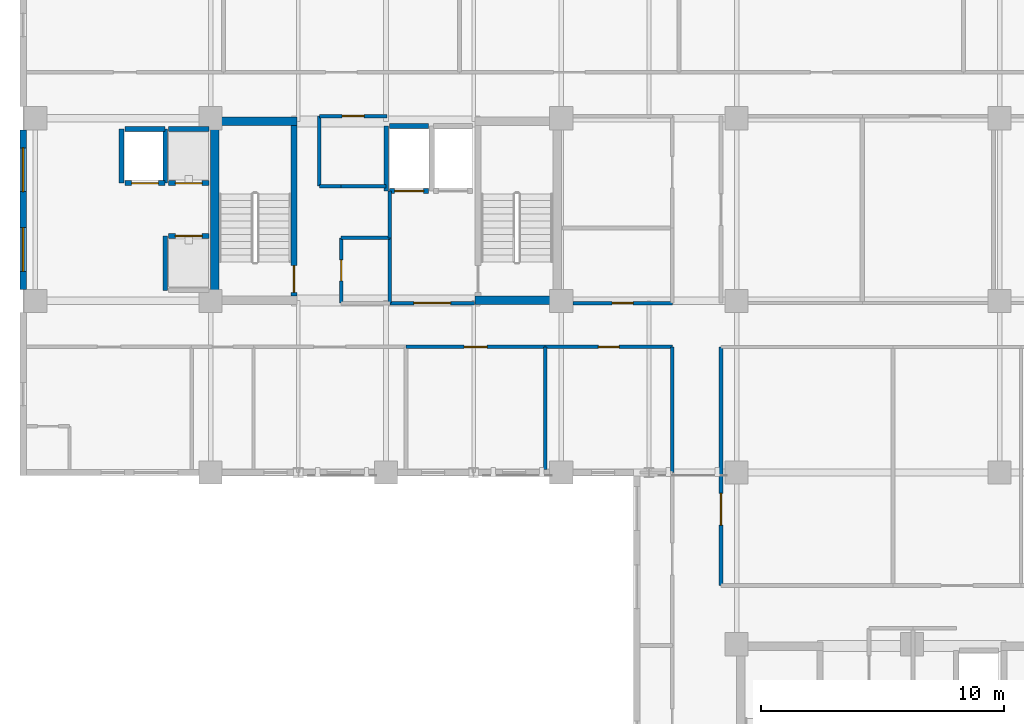
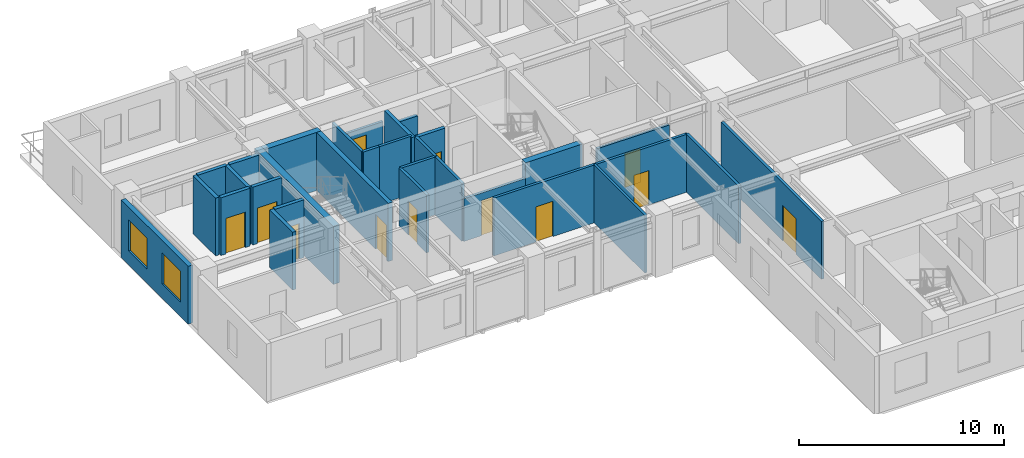
# One storey, part 6 of 14: 31 walls, 12 doors, 2 windows, 14 openings.
"""IFC4 building model written with IfcOpenShell, lengths in metres."""

from ifc_helpers import new_model, si_unit, direction, frame, frame_2d, origin, place, context, subcontext, project, spatial, rectangle, extrude, material, layer, layer_set, type_object, element, fill, save


model = new_model("IFC4")

# Units and contexts
model_context = context("Model", 3, precision=1e-05, world=origin(), true_north=direction((0.0, 1.0)))
body_context = subcontext(model_context, "Body", "Model", "MODEL_VIEW")
ifc_project = project(units=[si_unit("LENGTHUNIT", "METRE"), si_unit("AREAUNIT", "SQUARE_METRE"), si_unit("VOLUMEUNIT", "CUBIC_METRE"), si_unit("PLANEANGLEUNIT", "RADIAN"), si_unit("MASSUNIT", "GRAM", prefix="KILO")], contexts=[model_context])

# Site, building, storey
site_placement = place(None, origin())
site = spatial("IfcSite", under=ifc_project, at=site_placement, CompositionType="ELEMENT")
building_placement = place(site_placement, origin())
building = spatial("IfcBuilding", under=site, at=building_placement, Name="Kaliganga Portal Commons", CompositionType="ELEMENT")
storey_placement = place(building_placement, frame((0.0, 0.0, 220.300048828125)))
storey = spatial("IfcBuildingStorey", under=building, at=storey_placement, Name="L56", CompositionType="ELEMENT", Elevation=220.300048828125)

# Walls
ifc_material_1 = material(Name="Concrete C50/60", Category="concrete")
ifc_layer_1 = layer(ifc_material_1, 0.35009765625)
ifc_layer_set_1 = layer_set([ifc_layer_1], Name="Concrete C50/60")
wall_type_1 = type_object("IfcWallType", Name="WL-CORE-350", PredefinedType="SHEAR", material=ifc_layer_set_1)
wall_1_placement = place(storey_placement, frame((14.574951171875, 28.5, 0.0), z_axis=(0.0, 0.0, 1.0), x_axis=(0.0, 1.0, 0.0)))
element("IfcWall", 1, at=wall_1_placement, inside=storey, type_object=wall_type_1, Name="Core A West Shear Wall L56", PredefinedType="SHEAR", context=body_context, shape_type="SweptSolid", body=[
    extrude(rectangle(XDim=7.699951171875, YDim=0.35009765625, at=frame_2d((3.85009765625, 0.0))), origin(), (0.0, 0.0, 1.0), 3.469970703125),
])
for number, where, z_axis, x_axis, name in (
    (2, (25.25, 28.675048828125, 0.0), (0.0, 0.0, 1.0), (1.0, 0.0, 0.0), "Core A S-East Shear Wall L56"),
    (3, (14.75, 36.02490234375, 0.0), (0.0, 0.0, 1.0), (1.0, 0.0, 0.0), "Core A N-West Shear Wall L56"),
):
    element("IfcWall", number, at=place(storey_placement, frame(where, z_axis=z_axis, x_axis=x_axis)), inside=storey, type_object=wall_type_1, Name=name, PredefinedType="SHEAR", context=body_context, shape_type="SweptSolid", body=[
        extrude(rectangle(XDim=3.199951171875, YDim=0.35009765625, at=frame_2d((1.60009765625, 0.0))), origin(), (0.0, 0.0, 1.0), 3.469970703125),
    ])

# Wall, openings, windows
ifc_material_2 = material(Name="Insulated Aluminium-Clad Spandrel Assembly", Category="aluminium")
ifc_layer_2 = layer(ifc_material_2, 0.260009765625)
ifc_layer_set_2 = layer_set([ifc_layer_2], Name="Insulated Aluminium-Clad Spandrel Assembly")
wall_type_2 = type_object("IfcWallType", Name="WL-EXT-SPAND-260", PredefinedType="STANDARD", material=ifc_layer_set_2)
wall_2_placement = place(storey_placement, frame((6.699951171875, 29.1259765625, 0.0), z_axis=(0.0, 0.0, 1.0), x_axis=(0.0, 1.0, 0.0)))
wall_2 = element("IfcWall", 4, at=wall_2_placement, inside=storey, type_object=wall_type_2, Name="Exterior Envelope Wall L56 P1-E03-S2", PredefinedType="STANDARD", context=body_context, shape_type="SweptSolid", body=[
    extrude(rectangle(XDim=6.548095703125, YDim=0.260009765625, at=frame_2d((3.27392578125, 0.0))), origin(), (0.0, 0.0, 1.0), 3.449951171875),
])
opening_1_placement = place(wall_2_placement, frame((0.737060546875, 0.0, 0.85009765625)))
opening_1 = element("IfcOpeningElement", 5, at=opening_1_placement, cuts=wall_2, Name="Opening W-01", PredefinedType="OPENING", context=body_context, shape_type="SweptSolid", body=[
    extrude(rectangle(XDim=1.800048828125, YDim=1.85009765625, at=frame_2d((0.89990234375, 0.925048828125))), frame((0.0, 0.14013671875, 0.0), z_axis=(0.0, -1.0, 0.0), x_axis=(1.0, 0.0, 0.0)), (0.0, 0.0, 1.0), 0.280029296875),
])
opening_2_placement = place(wall_2_placement, frame((4.010986328125, 0.0, 0.85009765625)))
opening_2 = element("IfcOpeningElement", 6, at=opening_2_placement, cuts=wall_2, Name="Opening W-01", PredefinedType="OPENING", context=body_context, shape_type="SweptSolid", body=[
    extrude(rectangle(XDim=1.800048828125, YDim=1.85009765625, at=frame_2d((0.89990234375, 0.925048828125))), frame((0.0, 0.14013671875, 0.0), z_axis=(0.0, -1.0, 0.0), x_axis=(1.0, 0.0, 0.0)), (0.0, 0.0, 1.0), 0.280029296875),
])
ifc_material_3 = material(Name="Thermally Broken Aluminium and Low-E Double Glazing", Category="aluminium")
window_type = type_object("IfcWindowType", Name="WIN-STD-1800", PartitioningType="DOUBLE_PANEL_VERTICAL", PredefinedType="WINDOW", material=ifc_material_3)
window_1_placement = place(opening_1_placement, origin())
window_1 = element("IfcWindow", 7, at=window_1_placement, inside=storey, type_object=window_type, Name="Facade Window L56-P1E03S2-00", OverallHeight=1.85009765625, OverallWidth=1.800048828125, PartitioningType="SINGLE_PANEL", PredefinedType="WINDOW", context=body_context, shape_type="SweptSolid", body=[
    extrude(rectangle(XDim=1.800048828125, YDim=1.85009765625, at=frame_2d((0.89990234375, 0.925048828125))), frame((0.0, 0.030029296875, 0.0), z_axis=(0.0, -1.0, 0.0), x_axis=(1.0, 0.0, 0.0)), (0.0, 0.0, 1.0), 0.06005859375),
])
fill(opening_1, window_1)
window_2_placement = place(opening_2_placement, origin())
window_2 = element("IfcWindow", 8, at=window_2_placement, inside=storey, type_object=window_type, Name="Facade Window L56-P1E03S2-01", OverallHeight=1.85009765625, OverallWidth=1.800048828125, PartitioningType="SINGLE_PANEL", PredefinedType="WINDOW", context=body_context, shape_type="SweptSolid", body=[
    extrude(rectangle(XDim=1.800048828125, YDim=1.85009765625, at=frame_2d((0.89990234375, 0.925048828125))), frame((0.0, 0.030029296875, 0.0), z_axis=(0.0, -1.0, 0.0), x_axis=(1.0, 0.0, 0.0)), (0.0, 0.0, 1.0), 0.06005859375),
])
fill(opening_2, window_2)

# Wall, opening, door
ifc_material_4 = material(Name="Fire-Rated Gypsum Board on Steel Stud", Category="steel")
ifc_layer_3 = layer(ifc_material_4, 0.14990234375)
ifc_layer_set_3 = layer_set([ifc_layer_3], Name="Fire-Rated Gypsum Board on Steel Stud")
wall_type_3 = type_object("IfcWallType", Name="WL-PART-CORR-150", PredefinedType="PARTITIONING", material=ifc_layer_set_3)
wall_3_placement = place(storey_placement, frame((35.360107421875, 16.9599609375, 0.0), z_axis=(0.0, 0.0, 1.0), x_axis=(0.0, 1.0, 0.0)))
wall_3 = element("IfcWall", 9, at=wall_3_placement, inside=storey, type_object=wall_type_3, Name="Interior Partition L56-007", PredefinedType="PARTITIONING", context=body_context, shape_type="SweptSolid", body=[
    extrude(rectangle(XDim=9.800048828125, YDim=0.14990234375, at=frame_2d((4.89990234375, 0.0))), origin(), (0.0, 0.0, 1.0), 3.449951171875),
])
opening_3_placement = place(wall_3_placement, frame((2.486083984375, 0.0, 0.0)))
opening_3 = element("IfcOpeningElement", 10, at=opening_3_placement, cuts=wall_3, Name="Opening RD-03", PredefinedType="OPENING", context=body_context, shape_type="SweptSolid", body=[
    extrude(rectangle(XDim=1.300048828125, YDim=2.1201171875, at=frame_2d((0.64990234375, 1.06005859375))), frame((0.0, 0.0849609375, 0.0), z_axis=(0.0, -1.0, 0.0), x_axis=(1.0, 0.0, 0.0)), (0.0, 0.0, 1.0), 0.169921875),
])
ifc_material_5 = material(Name="Glazed Timber Seminar Vision Door", Category="wood")
door_type_1 = type_object("IfcDoorType", Name="DR-STUDY-1300", OperationType="DOUBLE_DOOR_SINGLE_SWING", PredefinedType="DOOR", material=ifc_material_5)
door_1_placement = place(opening_3_placement, origin())
door_1 = element("IfcDoor", 11, at=door_1_placement, inside=storey, type_object=door_type_1, Name="Interior Door L56-BM01", OperationType="DOUBLE_DOOR_SINGLE_SWING", OverallHeight=2.1201171875, OverallWidth=1.300048828125, PredefinedType="DOOR", context=body_context, shape_type="SweptSolid", body=[
    extrude(rectangle(XDim=1.300048828125, YDim=2.1201171875, at=frame_2d((0.64990234375, 1.06005859375))), frame((0.0, 0.02490234375, 0.0), z_axis=(0.0, -1.0, 0.0), x_axis=(1.0, 0.0, 0.0)), (0.0, 0.0, 1.0), 0.050048828125),
])
fill(opening_3, door_1)

wall_4_placement = place(storey_placement, frame((22.419921875, 26.760009765625, 0.0), z_axis=(0.0, 0.0, 1.0), x_axis=(1.0, 0.0, 0.0)))
wall_4 = element("IfcWall", 12, at=wall_4_placement, inside=storey, type_object=wall_type_3, Name="Interior Partition L56-021", PredefinedType="PARTITIONING", context=body_context, shape_type="SweptSolid", body=[
    extrude(rectangle(XDim=5.719970703125, YDim=0.14990234375, at=frame_2d((2.85986328125, 0.0))), origin(), (0.0, 0.0, 1.0), 3.449951171875),
])
opening_4_placement = place(wall_4_placement, frame((2.385009765625, 0.0, 0.0)))
opening_4 = element("IfcOpeningElement", 13, at=opening_4_placement, cuts=wall_4, Name="Opening UD-01", PredefinedType="OPENING", context=body_context, shape_type="SweptSolid", body=[
    extrude(rectangle(XDim=0.949951171875, YDim=2.10009765625, at=frame_2d((0.47509765625, 1.050048828125))), frame((0.0, 0.0849609375, 0.0), z_axis=(0.0, -1.0, 0.0), x_axis=(1.0, 0.0, 0.0)), (0.0, 0.0, 1.0), 0.169921875),
])
ifc_material_6 = material(Name="Solid-Core Timber Acoustic Fire Door", Category="wood")
door_type_2 = type_object("IfcDoorType", Name="DR-UNIT-950", OperationType="NOTDEFINED", PredefinedType="DOOR", material=ifc_material_6)
door_2_placement = place(opening_4_placement, origin())
door_2 = element("IfcDoor", 14, at=door_2_placement, inside=storey, type_object=door_type_2, Name="Interior Door L56-AS04", OperationType="SINGLE_SWING_RIGHT", OverallHeight=2.10009765625, OverallWidth=0.949951171875, PredefinedType="DOOR", context=body_context, shape_type="SweptSolid", body=[
    extrude(rectangle(XDim=0.949951171875, YDim=2.10009765625, at=frame_2d((0.47509765625, 1.050048828125))), frame((0.0, 0.02490234375, 0.0), z_axis=(0.0, -1.0, 0.0), x_axis=(1.0, 0.0, 0.0)), (0.0, 0.0, 1.0), 0.050048828125),
])
fill(opening_4, door_2)

wall_5_placement = place(storey_placement, frame((28.139892578125, 26.760009765625, 0.0), z_axis=(0.0, 0.0, 1.0), x_axis=(1.0, 0.0, 0.0)))
wall_5 = element("IfcWall", 15, at=wall_5_placement, inside=storey, type_object=wall_type_3, Name="Interior Partition L56-024", PredefinedType="PARTITIONING", context=body_context, shape_type="SweptSolid", body=[
    extrude(rectangle(XDim=5.22021484375, YDim=0.14990234375, at=frame_2d((2.610107421875, 0.0))), origin(), (0.0, 0.0, 1.0), 3.449951171875),
])
opening_5_placement = place(wall_5_placement, frame((2.18505859375, 0.0, 0.0)))
opening_5 = element("IfcOpeningElement", 16, at=opening_5_placement, cuts=wall_5, Name="Opening WD-01", PredefinedType="OPENING", context=body_context, shape_type="SweptSolid", body=[
    extrude(rectangle(XDim=0.85009765625, YDim=2.0400390625, at=frame_2d((0.425048828125, 1.02001953125))), frame((0.0, 0.0849609375, 0.0), z_axis=(0.0, -1.0, 0.0), x_axis=(1.0, 0.0, 0.0)), (0.0, 0.0, 1.0), 0.169921875),
])
ifc_material_7 = material(Name="Moisture-Resistant Laminate Timber Door", Category="wood")
door_type_3 = type_object("IfcDoorType", Name="DR-WET-850", OperationType="NOTDEFINED", PredefinedType="DOOR", material=ifc_material_7)
door_3_placement = place(opening_5_placement, origin())
door_3 = element("IfcDoor", 17, at=door_3_placement, inside=storey, type_object=door_type_3, Name="Interior Door L56-AS05", OperationType="SINGLE_SWING_LEFT", OverallHeight=2.0400390625, OverallWidth=0.85009765625, PredefinedType="DOOR", context=body_context, shape_type="SweptSolid", body=[
    extrude(rectangle(XDim=0.85009765625, YDim=2.0400390625, at=frame_2d((0.425048828125, 1.02001953125))), frame((0.0, 0.02490234375, 0.0), z_axis=(0.0, -1.0, 0.0), x_axis=(1.0, 0.0, 0.0)), (0.0, 0.0, 1.0), 0.050048828125),
])
fill(opening_5, door_3)

# Wall
wall_6_placement = place(storey_placement, frame((33.360107421875, 21.60009765625, 0.0), z_axis=(0.0, 0.0, 1.0), x_axis=(0.0, 1.0, 0.0)))
element("IfcWall", 18, at=wall_6_placement, inside=storey, type_object=wall_type_3, Name="Interior Partition L56-025", PredefinedType="PARTITIONING", context=body_context, shape_type="SweptSolid", body=[
    extrude(rectangle(XDim=5.159912109375, YDim=0.14990234375, at=frame_2d((2.580078125, 0.0))), origin(), (0.0, 0.0, 1.0), 3.449951171875),
])

# Wall, opening, door
wall_7_placement = place(storey_placement, frame((29.27490234375, 28.56005859375, 0.0), z_axis=(0.0, 0.0, 1.0), x_axis=(1.0, 0.0, 0.0)))
wall_7 = element("IfcWall", 19, at=wall_7_placement, inside=storey, type_object=wall_type_3, Name="Interior Partition L56-029", PredefinedType="PARTITIONING", context=body_context, shape_type="SweptSolid", body=[
    extrude(rectangle(XDim=4.085205078125, YDim=0.14990234375, at=frame_2d((2.04248046875, 0.0))), origin(), (0.0, 0.0, 1.0), 2.89990234375),
])
opening_6_placement = place(wall_7_placement, frame((1.612548828125, 0.0, 0.0)))
opening_6 = element("IfcOpeningElement", 20, at=opening_6_placement, cuts=wall_7, Name="Opening WD-02", PredefinedType="OPENING", context=body_context, shape_type="SweptSolid", body=[
    extrude(rectangle(XDim=0.860107421875, YDim=2.02001953125, at=frame_2d((0.43017578125, 1.010009765625))), frame((0.0, 0.0849609375, 0.0), z_axis=(0.0, -1.0, 0.0), x_axis=(1.0, 0.0, 0.0)), (0.0, 0.0, 1.0), 0.169921875),
])
ifc_material_8 = material(Name="Fire-Rated Utility Closet Door", Category="wood")
door_type_4 = type_object("IfcDoorType", Name="DR-STORE-800", OperationType="NOTDEFINED", PredefinedType="DOOR", material=ifc_material_8)
door_4_placement = place(opening_6_placement, origin())
door_4 = element("IfcDoor", 21, at=door_4_placement, inside=storey, type_object=door_type_4, Name="Interior Door L56-CSRV_A1", OperationType="SINGLE_SWING_RIGHT", OverallHeight=2.02001953125, OverallWidth=0.860107421875, PredefinedType="DOOR", context=body_context, shape_type="SweptSolid", body=[
    extrude(rectangle(XDim=0.860107421875, YDim=2.02001953125, at=frame_2d((0.43017578125, 1.010009765625))), frame((0.0, 0.02490234375, 0.0), z_axis=(0.0, -1.0, 0.0), x_axis=(1.0, 0.0, 0.0)), (0.0, 0.0, 1.0), 0.050048828125),
])
fill(opening_6, door_4)

# Wall
wall_8_placement = place(storey_placement, frame((18.860107421875, 33.360107421875, 0.0), z_axis=(0.0, 0.0, 1.0), x_axis=(0.0, 1.0, 0.0)))
element("IfcWall", 22, at=wall_8_placement, inside=storey, type_object=wall_type_3, Name="Interior Partition L56-033", PredefinedType="PARTITIONING", context=body_context, shape_type="SweptSolid", body=[
    extrude(rectangle(XDim=2.8798828125, YDim=0.14990234375, at=frame_2d((1.43994140625, 0.0))), origin(), (0.0, 0.0, 1.0), 3.449951171875),
])

# Wall, opening, door
wall_9_placement = place(storey_placement, frame((18.860107421875, 36.239990234375, 0.0), z_axis=(0.0, 0.0, 1.0), x_axis=(1.0, 0.0, 0.0)))
wall_9 = element("IfcWall", 23, at=wall_9_placement, inside=storey, type_object=wall_type_3, Name="Interior Partition L56-035", PredefinedType="PARTITIONING", context=body_context, shape_type="SweptSolid", body=[
    extrude(rectangle(XDim=2.77978515625, YDim=0.14990234375, at=frame_2d((1.389892578125, 0.0))), origin(), (0.0, 0.0, 1.0), 2.550048828125),
])
opening_7_placement = place(wall_9_placement, frame((0.93994140625, 0.0, 0.0)))
opening_7 = element("IfcOpeningElement", 24, at=opening_7_placement, cuts=wall_9, Name="Opening RD-01", PredefinedType="OPENING", context=body_context, shape_type="SweptSolid", body=[
    extrude(rectangle(XDim=0.89990234375, YDim=2.080078125, at=frame_2d((0.449951171875, 1.0400390625))), frame((0.0, 0.0849609375, 0.0), z_axis=(0.0, -1.0, 0.0), x_axis=(1.0, 0.0, 0.0)), (0.0, 0.0, 1.0), 0.169921875),
])
ifc_material_9 = material(Name="Engineered Timber Flush Door", Category="wood")
door_type_5 = type_object("IfcDoorType", Name="DR-ROOM-900", OperationType="NOTDEFINED", PredefinedType="DOOR", material=ifc_material_9)
door_5_placement = place(opening_7_placement, origin())
door_5 = element("IfcDoor", 25, at=door_5_placement, inside=storey, type_object=door_type_5, Name="Interior Door L56-CREC_A1", OperationType="SINGLE_SWING_LEFT", OverallHeight=2.080078125, OverallWidth=0.89990234375, PredefinedType="DOOR", context=body_context, shape_type="SweptSolid", body=[
    extrude(rectangle(XDim=0.89990234375, YDim=2.080078125, at=frame_2d((0.449951171875, 1.0400390625))), frame((0.0, 0.02490234375, 0.0), z_axis=(0.0, -1.0, 0.0), x_axis=(1.0, 0.0, 0.0)), (0.0, 0.0, 1.0), 0.050048828125),
])
fill(opening_7, door_5)

wall_10_placement = place(storey_placement, frame((19.760009765625, 28.56005859375, 0.0), z_axis=(0.0, 0.0, 1.0), x_axis=(0.0, 1.0, 0.0)))
wall_10 = element("IfcWall", 26, at=wall_10_placement, inside=storey, type_object=wall_type_3, Name="Interior Partition L56-036", PredefinedType="PARTITIONING", context=body_context, shape_type="SweptSolid", body=[
    extrude(rectangle(XDim=2.679931640625, YDim=0.14990234375, at=frame_2d((1.33984375, 0.0))), origin(), (0.0, 0.0, 1.0), 3.449951171875),
])
opening_8_placement = place(wall_10_placement, frame((0.909912109375, 0.0, 0.0)))
opening_8 = element("IfcOpeningElement", 27, at=opening_8_placement, cuts=wall_10, Name="Opening WD-02", PredefinedType="OPENING", context=body_context, shape_type="SweptSolid", body=[
    extrude(rectangle(XDim=0.860107421875, YDim=2.02001953125, at=frame_2d((0.43017578125, 1.010009765625))), frame((0.0, 0.0849609375, 0.0), z_axis=(0.0, -1.0, 0.0), x_axis=(1.0, 0.0, 0.0)), (0.0, 0.0, 1.0), 0.169921875),
])
door_6_placement = place(opening_8_placement, origin())
door_6 = element("IfcDoor", 28, at=door_6_placement, inside=storey, type_object=door_type_4, Name="Interior Door L56-CIN_A1", OperationType="SINGLE_SWING_RIGHT", OverallHeight=2.02001953125, OverallWidth=0.860107421875, PredefinedType="DOOR", context=body_context, shape_type="SweptSolid", body=[
    extrude(rectangle(XDim=0.860107421875, YDim=2.02001953125, at=frame_2d((0.43017578125, 1.010009765625))), frame((0.0, 0.02490234375, 0.0), z_axis=(0.0, -1.0, 0.0), x_axis=(1.0, 0.0, 0.0)), (0.0, 0.0, 1.0), 0.050048828125),
])
fill(opening_8, door_6)

# Walls
wall_11_placement = place(storey_placement, frame((21.760009765625, 28.56005859375, 0.0), z_axis=(0.0, 0.0, 1.0), x_axis=(0.0, 1.0, 0.0)))
element("IfcWall", 29, at=wall_11_placement, inside=storey, type_object=wall_type_3, Name="Interior Partition L56-037", PredefinedType="PARTITIONING", context=body_context, shape_type="SweptSolid", body=[
    extrude(rectangle(XDim=2.679931640625, YDim=0.14990234375, at=frame_2d((1.33984375, 0.0))), origin(), (0.0, 0.0, 1.0), 3.449951171875),
])
wall_12_placement = place(storey_placement, frame((19.760009765625, 31.239990234375, 0.0), z_axis=(0.0, 0.0, 1.0), x_axis=(1.0, 0.0, 0.0)))
element("IfcWall", 30, at=wall_12_placement, inside=storey, type_object=wall_type_3, Name="Interior Partition L56-040", PredefinedType="PARTITIONING", context=body_context, shape_type="SweptSolid", body=[
    extrude(rectangle(XDim=2.0, YDim=0.14990234375, at=frame_2d((1.0, 0.0))), origin(), (0.0, 0.0, 1.0), 3.449951171875),
])
wall_13_placement = place(storey_placement, frame((19.760009765625, 33.360107421875, 0.0), z_axis=(0.0, 0.0, 1.0), x_axis=(1.0, 0.0, 0.0)))
element("IfcWall", 31, at=wall_13_placement, inside=storey, type_object=wall_type_3, Name="Interior Partition L56-041", PredefinedType="PARTITIONING", context=body_context, shape_type="SweptSolid", body=[
    extrude(rectangle(XDim=1.85009765625, YDim=0.14990234375, at=frame_2d((0.925048828125, 0.0))), origin(), (0.0, 0.0, 1.0), 3.449951171875),
])
wall_14_placement = place(storey_placement, frame((18.860107421875, 33.360107421875, 0.0), z_axis=(0.0, 0.0, 1.0), x_axis=(1.0, 0.0, 0.0)))
element("IfcWall", 32, at=wall_14_placement, inside=storey, type_object=wall_type_3, Name="Interior Partition L56-048", PredefinedType="PARTITIONING", context=body_context, shape_type="SweptSolid", body=[
    extrude(rectangle(XDim=0.89990234375, YDim=0.14990234375, at=frame_2d((0.449951171875, 0.0))), origin(), (0.0, 0.0, 1.0), 3.449951171875),
])

# Wall, opening, door
wall_15_placement = place(storey_placement, frame((21.760009765625, 28.56005859375, 0.0), z_axis=(0.0, 0.0, 1.0), x_axis=(1.0, 0.0, 0.0)))
wall_15 = element("IfcWall", 33, at=wall_15_placement, inside=storey, type_object=wall_type_3, Name="Interior Partition L56-076", PredefinedType="PARTITIONING", context=body_context, shape_type="SweptSolid", body=[
    extrude(rectangle(XDim=3.47998046875, YDim=0.14990234375, at=frame_2d((1.739990234375, 0.0))), origin(), (0.0, 0.0, 1.0), 2.550048828125),
])
opening_9_placement = place(wall_15_placement, frame((0.989990234375, 0.0, 0.0)))
opening_9 = element("IfcOpeningElement", 34, at=opening_9_placement, cuts=wall_15, Name="Opening FD-01", PredefinedType="OPENING", context=body_context, shape_type="SweptSolid", body=[
    extrude(rectangle(XDim=1.5, YDim=2.10009765625, at=frame_2d((0.75, 1.050048828125))), frame((0.0, 0.0849609375, 0.0), z_axis=(0.0, -1.0, 0.0), x_axis=(1.0, 0.0, 0.0)), (0.0, 0.0, 1.0), 0.169921875),
])
ifc_material_10 = material(Name="Fire-Rated Hardwood and Georgian-Wired Vision Panel", Category="wood")
door_type_6 = type_object("IfcDoorType", Name="DR-LOBBY-1500", OperationType="DOUBLE_DOOR_SINGLE_SWING", PredefinedType="DOOR", material=ifc_material_10)
door_7_placement = place(opening_9_placement, origin())
door_7 = element("IfcDoor", 35, at=door_7_placement, inside=storey, type_object=door_type_6, Name="Interior Door L56-FFLOB_A", OperationType="DOUBLE_DOOR_SINGLE_SWING", OverallHeight=2.10009765625, OverallWidth=1.5, PredefinedType="DOOR", context=body_context, shape_type="SweptSolid", body=[
    extrude(rectangle(XDim=1.5, YDim=2.10009765625, at=frame_2d((0.75, 1.050048828125))), frame((0.0, 0.02490234375, 0.0), z_axis=(0.0, -1.0, 0.0), x_axis=(1.0, 0.0, 0.0)), (0.0, 0.0, 1.0), 0.050048828125),
])
fill(opening_9, door_7)

# Walls
wall_16_placement = place(storey_placement, frame((21.760009765625, 31.239990234375, 0.0), z_axis=(0.0, 0.0, 1.0), x_axis=(0.0, 1.0, 0.0)))
element("IfcWall", 36, at=wall_16_placement, inside=storey, type_object=wall_type_3, Name="Interior Partition L56-078", PredefinedType="PARTITIONING", context=body_context, shape_type="SweptSolid", body=[
    extrude(rectangle(XDim=1.919921875, YDim=0.14990234375, at=frame_2d((0.9599609375, 0.0))), origin(), (0.0, 0.0, 1.0), 3.449951171875),
])
ifc_material_11 = material(Name="Cement-Board Wet-Room Partition", Category="gypsum")
ifc_layer_4 = layer(ifc_material_11, 0.135009765625)
ifc_layer_set_4 = layer_set([ifc_layer_4], Name="Cement-Board Wet-Room Partition")
wall_type_4 = type_object("IfcWallType", Name="WL-PART-WET-135", PredefinedType="PARTITIONING", material=ifc_layer_set_4)
wall_17_placement = place(storey_placement, frame((28.139892578125, 21.73193359375, 0.0), z_axis=(0.0, 0.0, 1.0), x_axis=(0.0, 1.0, 0.0)))
element("IfcWall", 37, at=wall_17_placement, inside=storey, type_object=wall_type_4, Name="Interior Partition L56-071", PredefinedType="PARTITIONING", context=body_context, shape_type="SweptSolid", body=[
    extrude(rectangle(XDim=5.028076171875, YDim=0.135009765625, at=frame_2d((2.51416015625, 0.0))), origin(), (0.0, 0.0, 1.0), 3.449951171875),
])

# Wall, opening, door
ifc_material_12 = material(Name="Fire-Rated Shaftwall Masonry Assembly", Category="masonry")
ifc_layer_5 = layer(ifc_material_12, 0.199951171875)
ifc_layer_set_5 = layer_set([ifc_layer_5], Name="Fire-Rated Shaftwall Masonry Assembly")
wall_type_5 = type_object("IfcWallType", Name="WL-SHAFT-200", PredefinedType="PARTITIONING", material=ifc_layer_set_5)
wall_18_placement = place(storey_placement, frame((12.675048828125, 33.485107421875, 0.0), z_axis=(0.0, 0.0, 1.0), x_axis=(1.0, 0.0, 0.0)))
wall_18 = element("IfcWall", 38, at=wall_18_placement, inside=storey, type_object=wall_type_5, Name="Lift PL-A3 Hoistway Shaft Wall L56-S", PredefinedType="PARTITIONING", context=body_context, shape_type="SweptSolid", body=[
    extrude(rectangle(XDim=1.64990234375, YDim=0.199951171875, at=frame_2d((0.824951171875, 0.0))), origin(), (0.0, 0.0, 1.0), 3.449951171875),
])
opening_10_placement = place(wall_18_placement, frame((0.27490234375, 0.0, 0.0)))
opening_10 = element("IfcOpeningElement", 39, at=opening_10_placement, cuts=wall_18, Name="Opening LD-01", PredefinedType="OPENING", context=body_context, shape_type="SweptSolid", body=[
    extrude(rectangle(XDim=1.10009765625, YDim=2.1201171875, at=frame_2d((0.550048828125, 1.06005859375))), frame((0.0, 0.10986328125, 0.0), z_axis=(0.0, -1.0, 0.0), x_axis=(1.0, 0.0, 0.0)), (0.0, 0.0, 1.0), 0.219970703125),
])
ifc_material_13 = material(Name="Brushed Stainless Steel 316 Lift Landing Door", Category="steel")
door_type_7 = type_object("IfcDoorType", Name="DR-LIFT-1100", OperationType="SLIDING_TO_LEFT", PredefinedType="DOOR", material=ifc_material_13)
door_8_placement = place(opening_10_placement, origin())
door_8 = element("IfcDoor", 40, at=door_8_placement, inside=storey, type_object=door_type_7, Name="Lift PL-A3 Sliding Landing Door L56", OperationType="SLIDING_TO_LEFT", OverallHeight=2.1201171875, OverallWidth=1.10009765625, PredefinedType="DOOR", context=body_context, shape_type="SweptSolid", body=[
    extrude(rectangle(XDim=1.10009765625, YDim=2.1201171875, at=frame_2d((0.550048828125, 1.06005859375))), frame((0.0, 0.02490234375, 0.0), z_axis=(0.0, -1.0, 0.0), x_axis=(1.0, 0.0, 0.0)), (0.0, 0.0, 1.0), 0.050048828125),
])
fill(opening_10, door_8)

# Walls
wall_19_placement = place(storey_placement, frame((12.675048828125, 35.715087890625, 0.0), z_axis=(0.0, 0.0, 1.0), x_axis=(1.0, 0.0, 0.0)))
element("IfcWall", 41, at=wall_19_placement, inside=storey, type_object=wall_type_5, Name="Lift PL-A3 Hoistway Shaft Wall L56-N", PredefinedType="PARTITIONING", context=body_context, shape_type="SweptSolid", body=[
    extrude(rectangle(XDim=1.64990234375, YDim=0.199951171875, at=frame_2d((0.824951171875, 0.0))), origin(), (0.0, 0.0, 1.0), 3.449951171875),
])
wall_20_placement = place(storey_placement, frame((12.534912109375, 33.485107421875, 0.0), z_axis=(0.0, 0.0, 1.0), x_axis=(0.0, 1.0, 0.0)))
element("IfcWall", 42, at=wall_20_placement, inside=storey, type_object=wall_type_5, Name="Lift PL-A3 Hoistway Shaft Wall L56-W", PredefinedType="PARTITIONING", context=body_context, shape_type="SweptSolid", body=[
    extrude(rectangle(XDim=2.22998046875, YDim=0.199951171875, at=frame_2d((1.114990234375, 0.0))), origin(), (0.0, 0.0, 1.0), 3.449951171875),
])

# Wall, opening, door
wall_21_placement = place(storey_placement, frame((12.675048828125, 31.31494140625, 0.0), z_axis=(0.0, 0.0, 1.0), x_axis=(1.0, 0.0, 0.0)))
wall_21 = element("IfcWall", 43, at=wall_21_placement, inside=storey, type_object=wall_type_5, Name="Lift PL-A4 Hoistway Shaft Wall L56-N", PredefinedType="PARTITIONING", context=body_context, shape_type="SweptSolid", body=[
    extrude(rectangle(XDim=1.64990234375, YDim=0.199951171875, at=frame_2d((0.824951171875, 0.0))), origin(), (0.0, 0.0, 1.0), 3.449951171875),
])
opening_11_placement = place(wall_21_placement, frame((0.27490234375, 0.0, 0.0)))
opening_11 = element("IfcOpeningElement", 44, at=opening_11_placement, cuts=wall_21, Name="Opening LD-01", PredefinedType="OPENING", context=body_context, shape_type="SweptSolid", body=[
    extrude(rectangle(XDim=1.10009765625, YDim=2.1201171875, at=frame_2d((0.550048828125, 1.06005859375))), frame((0.0, 0.10986328125, 0.0), z_axis=(0.0, -1.0, 0.0), x_axis=(1.0, 0.0, 0.0)), (0.0, 0.0, 1.0), 0.219970703125),
])
door_9_placement = place(opening_11_placement, origin())
door_9 = element("IfcDoor", 45, at=door_9_placement, inside=storey, type_object=door_type_7, Name="Lift PL-A4 Sliding Landing Door L56", OperationType="SLIDING_TO_LEFT", OverallHeight=2.1201171875, OverallWidth=1.10009765625, PredefinedType="DOOR", context=body_context, shape_type="SweptSolid", body=[
    extrude(rectangle(XDim=1.10009765625, YDim=2.1201171875, at=frame_2d((0.550048828125, 1.06005859375))), frame((0.0, 0.02490234375, 0.0), z_axis=(0.0, -1.0, 0.0), x_axis=(1.0, 0.0, 0.0)), (0.0, 0.0, 1.0), 0.050048828125),
])
fill(opening_11, door_9)

# Wall
wall_22_placement = place(storey_placement, frame((12.534912109375, 29.0849609375, 0.0), z_axis=(0.0, 0.0, 1.0), x_axis=(0.0, 1.0, 0.0)))
element("IfcWall", 46, at=wall_22_placement, inside=storey, type_object=wall_type_5, Name="Lift PL-A4 Hoistway Shaft Wall L56-W", PredefinedType="PARTITIONING", context=body_context, shape_type="SweptSolid", body=[
    extrude(rectangle(XDim=2.22998046875, YDim=0.199951171875, at=frame_2d((1.114990234375, 0.0))), origin(), (0.0, 0.0, 1.0), 3.449951171875),
])

# Wall, opening, door
wall_23_placement = place(storey_placement, frame((10.875, 33.485107421875, 0.0), z_axis=(0.0, 0.0, 1.0), x_axis=(1.0, 0.0, 0.0)))
wall_23 = element("IfcWall", 47, at=wall_23_placement, inside=storey, type_object=wall_type_5, Name="Lift PL-OBS Hoistway Shaft Wall L56-S", PredefinedType="PARTITIONING", context=body_context, shape_type="SweptSolid", body=[
    extrude(rectangle(XDim=1.64990234375, YDim=0.199951171875, at=frame_2d((0.824951171875, 0.0))), origin(), (0.0, 0.0, 1.0), 3.449951171875),
])
opening_12_placement = place(wall_23_placement, frame((0.27490234375, 0.0, 0.0)))
opening_12 = element("IfcOpeningElement", 48, at=opening_12_placement, cuts=wall_23, Name="Opening LD-01", PredefinedType="OPENING", context=body_context, shape_type="SweptSolid", body=[
    extrude(rectangle(XDim=1.10009765625, YDim=2.1201171875, at=frame_2d((0.550048828125, 1.06005859375))), frame((0.0, 0.10986328125, 0.0), z_axis=(0.0, -1.0, 0.0), x_axis=(1.0, 0.0, 0.0)), (0.0, 0.0, 1.0), 0.219970703125),
])
door_10_placement = place(opening_12_placement, origin())
door_10 = element("IfcDoor", 49, at=door_10_placement, inside=storey, type_object=door_type_7, Name="Lift PL-OBS Sliding Landing Door L56", OperationType="SLIDING_TO_LEFT", OverallHeight=2.1201171875, OverallWidth=1.10009765625, PredefinedType="DOOR", context=body_context, shape_type="SweptSolid", body=[
    extrude(rectangle(XDim=1.10009765625, YDim=2.1201171875, at=frame_2d((0.550048828125, 1.06005859375))), frame((0.0, 0.02490234375, 0.0), z_axis=(0.0, -1.0, 0.0), x_axis=(1.0, 0.0, 0.0)), (0.0, 0.0, 1.0), 0.050048828125),
])
fill(opening_12, door_10)

# Walls
wall_24_placement = place(storey_placement, frame((10.875, 35.715087890625, 0.0), z_axis=(0.0, 0.0, 1.0), x_axis=(1.0, 0.0, 0.0)))
element("IfcWall", 50, at=wall_24_placement, inside=storey, type_object=wall_type_5, Name="Lift PL-OBS Hoistway Shaft Wall L56-N", PredefinedType="PARTITIONING", context=body_context, shape_type="SweptSolid", body=[
    extrude(rectangle(XDim=1.64990234375, YDim=0.199951171875, at=frame_2d((0.824951171875, 0.0))), origin(), (0.0, 0.0, 1.0), 3.449951171875),
])
wall_25_placement = place(storey_placement, frame((10.735107421875, 33.485107421875, 0.0), z_axis=(0.0, 0.0, 1.0), x_axis=(0.0, 1.0, 0.0)))
element("IfcWall", 51, at=wall_25_placement, inside=storey, type_object=wall_type_5, Name="Lift PL-OBS Hoistway Shaft Wall L56-W", PredefinedType="PARTITIONING", context=body_context, shape_type="SweptSolid", body=[
    extrude(rectangle(XDim=2.22998046875, YDim=0.199951171875, at=frame_2d((1.114990234375, 0.0))), origin(), (0.0, 0.0, 1.0), 3.449951171875),
])

# Wall, opening, door
wall_26_placement = place(storey_placement, frame((21.75, 33.159912109375, 0.0), z_axis=(0.0, 0.0, 1.0), x_axis=(1.0, 0.0, 0.0)))
wall_26 = element("IfcWall", 52, at=wall_26_placement, inside=storey, type_object=wall_type_5, Name="Lift FFL-1 Hoistway Shaft Wall L56-S", PredefinedType="PARTITIONING", context=body_context, shape_type="SweptSolid", body=[
    extrude(rectangle(XDim=1.60009765625, YDim=0.199951171875, at=frame_2d((0.800048828125, 0.0))), origin(), (0.0, 0.0, 1.0), 3.449951171875),
])
opening_13_placement = place(wall_26_placement, frame((0.199951171875, 0.0, 0.0)))
opening_13 = element("IfcOpeningElement", 53, at=opening_13_placement, cuts=wall_26, Name="Opening LD-02", PredefinedType="OPENING", context=body_context, shape_type="SweptSolid", body=[
    extrude(rectangle(XDim=1.199951171875, YDim=2.1201171875, at=frame_2d((0.60009765625, 1.06005859375))), frame((0.0, 0.10986328125, 0.0), z_axis=(0.0, -1.0, 0.0), x_axis=(1.0, 0.0, 0.0)), (0.0, 0.0, 1.0), 0.219970703125),
])
ifc_material_14 = material(Name="Brushed Stainless Steel 316 Stretcher Lift Landing Door", Category="steel")
door_type_8 = type_object("IfcDoorType", Name="DR-LIFT-1200", OperationType="SLIDING_TO_RIGHT", PredefinedType="DOOR", material=ifc_material_14)
door_11_placement = place(opening_13_placement, origin())
door_11 = element("IfcDoor", 54, at=door_11_placement, inside=storey, type_object=door_type_8, Name="Lift FFL-1 Sliding Landing Door L56", OperationType="SLIDING_TO_RIGHT", OverallHeight=2.1201171875, OverallWidth=1.199951171875, PredefinedType="DOOR", context=body_context, shape_type="SweptSolid", body=[
    extrude(rectangle(XDim=1.199951171875, YDim=2.1201171875, at=frame_2d((0.60009765625, 1.06005859375))), frame((0.0, 0.02490234375, 0.0), z_axis=(0.0, -1.0, 0.0), x_axis=(1.0, 0.0, 0.0)), (0.0, 0.0, 1.0), 0.050048828125),
])
fill(opening_13, door_11)

# Walls
wall_27_placement = place(storey_placement, frame((21.75, 35.840087890625, 0.0), z_axis=(0.0, 0.0, 1.0), x_axis=(1.0, 0.0, 0.0)))
element("IfcWall", 55, at=wall_27_placement, inside=storey, type_object=wall_type_5, Name="Lift FFL-1 Hoistway Shaft Wall L56-N", PredefinedType="PARTITIONING", context=body_context, shape_type="SweptSolid", body=[
    extrude(rectangle(XDim=1.60009765625, YDim=0.199951171875, at=frame_2d((0.800048828125, 0.0))), origin(), (0.0, 0.0, 1.0), 2.550048828125),
])
wall_28_placement = place(storey_placement, frame((21.610107421875, 33.159912109375, 0.0), z_axis=(0.0, 0.0, 1.0), x_axis=(0.0, 1.0, 0.0)))
element("IfcWall", 56, at=wall_28_placement, inside=storey, type_object=wall_type_5, Name="Lift FFL-1 Hoistway Shaft Wall L56-W", PredefinedType="PARTITIONING", context=body_context, shape_type="SweptSolid", body=[
    extrude(rectangle(XDim=2.68017578125, YDim=0.199951171875, at=frame_2d((1.340087890625, 0.0))), origin(), (0.0, 0.0, 1.0), 3.449951171875),
])

# Wall, opening, door
ifc_layer_6 = layer(ifc_material_1, 0.25)
ifc_layer_set_6 = layer_set([ifc_layer_6], Name="Concrete C50/60")
wall_type_6 = type_object("IfcWallType", Name="WL-STAIR-250", PredefinedType="SHEAR", material=ifc_layer_set_6)
wall_29_placement = place(storey_placement, frame((17.824951171875, 28.85009765625, 0.0), z_axis=(0.0, 0.0, 1.0), x_axis=(0.0, 1.0, 0.0)))
wall_29 = element("IfcWall", 57, at=wall_29_placement, inside=storey, type_object=wall_type_6, Name="Stair A1 Enclosure Shear Wall L56", PredefinedType="SHEAR", context=body_context, shape_type="SweptSolid", body=[
    extrude(rectangle(XDim=7.0, YDim=0.25, at=frame_2d((3.5, 0.0))), origin(), (0.0, 0.0, 1.0), 3.469970703125),
])
opening_14_placement = place(wall_29_placement, frame((0.14990234375, 0.0, 0.0)))
opening_14 = element("IfcOpeningElement", 58, at=opening_14_placement, cuts=wall_29, Name="Opening SD-01", PredefinedType="OPENING", context=body_context, shape_type="SweptSolid", body=[
    extrude(rectangle(XDim=1.10009765625, YDim=2.080078125, at=frame_2d((0.550048828125, 1.0400390625))), frame((0.0, 0.135009765625, 0.0), z_axis=(0.0, -1.0, 0.0), x_axis=(1.0, 0.0, 0.0)), (0.0, 0.0, 1.0), 0.27001953125),
])
ifc_material_15 = material(Name="Galvanized Steel Fire Door Leaf and Frame", Category="steel")
door_type_9 = type_object("IfcDoorType", Name="DR-STAIR-1100", OperationType="NOTDEFINED", PredefinedType="DOOR", material=ifc_material_15)
door_12_placement = place(opening_14_placement, origin())
door_12 = element("IfcDoor", 59, at=door_12_placement, inside=storey, type_object=door_type_9, Name="Protected Stair ST-A1 Fire Door L56", OperationType="SINGLE_SWING_RIGHT", OverallHeight=2.080078125, OverallWidth=1.10009765625, PredefinedType="DOOR", context=body_context, shape_type="SweptSolid", body=[
    extrude(rectangle(XDim=1.10009765625, YDim=2.080078125, at=frame_2d((0.550048828125, 1.0400390625))), frame((0.0, 0.02490234375, 0.0), z_axis=(0.0, -1.0, 0.0), x_axis=(1.0, 0.0, 0.0)), (0.0, 0.0, 1.0), 0.050048828125),
])
fill(opening_14, door_12)

save(model, "model.ifc")
